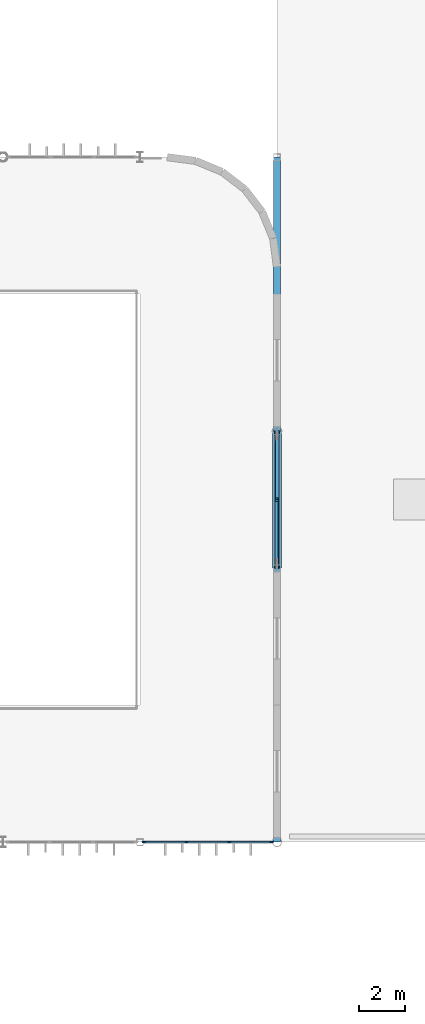
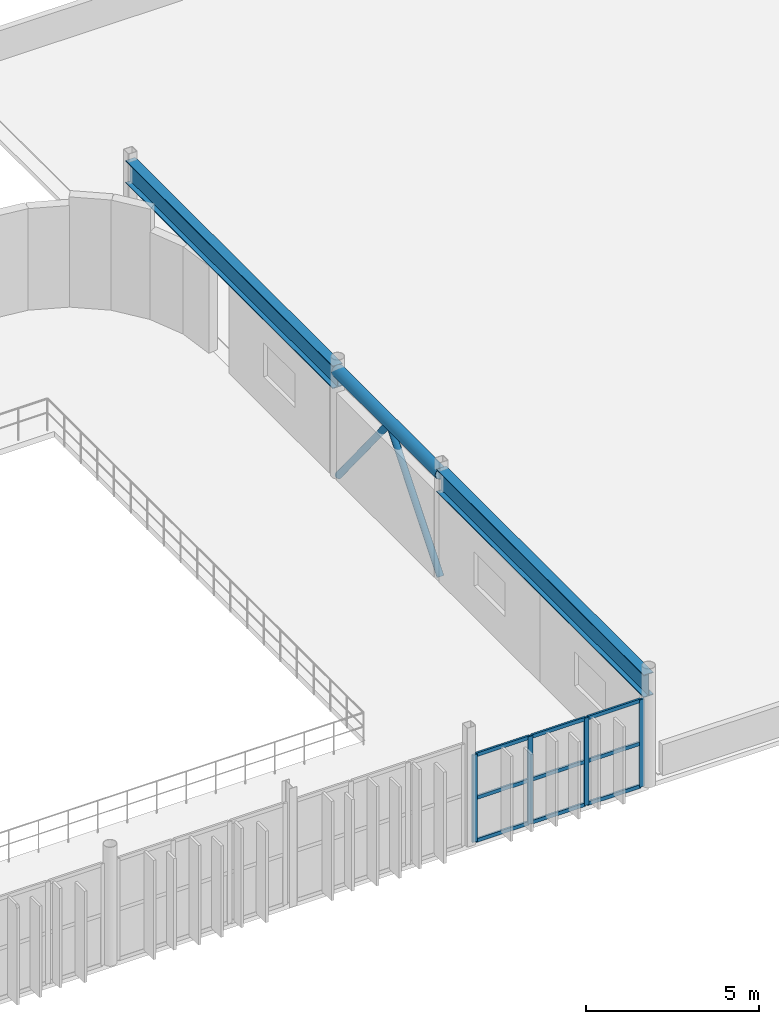
# One storey, part 42 of 83: 15 members, 3 beams, 1 element without a shape of its own.
"""IFC4 building model written with IfcOpenShell, lengths in metres."""

from ifc_helpers import new_model, si_unit, direction, frame, origin, origin_2d, place, context, subcontext, project, spatial, rectangle, hollow_circle, i_section, extrude, material, material_profile, profile_set, type_object, element, aggregate, save


model = new_model("IFC4")

# Units and contexts
model_context = context("Model", 3, precision=1e-05, world=origin(), true_north=direction((0.0, 1.0)))
body_context = subcontext(model_context, "Body", "Model", "MODEL_VIEW")
ifc_project = project(units=[si_unit("LENGTHUNIT", "METRE"), si_unit("AREAUNIT", "SQUARE_METRE"), si_unit("VOLUMEUNIT", "CUBIC_METRE"), si_unit("PLANEANGLEUNIT", "RADIAN"), si_unit("MASSUNIT", "GRAM", prefix="KILO")], contexts=[model_context])

# Site, building, storey
site_placement = place(None, origin())
site = spatial("IfcSite", under=ifc_project, at=site_placement, CompositionType="ELEMENT")
building_placement = place(site_placement, origin())
building = spatial("IfcBuilding", under=site, at=building_placement, Name="Varnakota Square Police Headquarters", CompositionType="ELEMENT")
storey_placement = place(building_placement, frame((0.0, 0.0, 18.0)))
storey = spatial("IfcBuildingStorey", under=building, at=storey_placement, Name="L04", CompositionType="ELEMENT", Elevation=18.0)

# Beams
ifc_material_1 = material(Name="Steel IS 2062 Grade 350", Category="steel")
ifc_material_profile_1 = material_profile(ifc_material_1, hollow_circle(Radius=0.203125, WallThickness=0.01611328125, at=origin_2d()), Name="CHS 406.4x16.0")
ifc_profile_set_1 = profile_set([ifc_material_profile_1], Name="Steel IS 2062 Grade 350")
beam_type_1 = type_object("IfcBeamType", Name="BM-ARC-CHS406", PredefinedType="BEAM", material=ifc_profile_set_1)
beam_placement = place(storey_placement, frame((96.0, 81.0, 3.69677734375), z_axis=(0.0, 1.0, 0.0), x_axis=(-1.0, 0.0, 0.0)))
element("IfcBeam", 1, at=beam_placement, inside=storey, type_object=beam_type_1, Name="BMG-L04-2980", PredefinedType="BEAM", context=body_context, shape_type="SweptSolid", body=[
    extrude(hollow_circle(Radius=0.203125, WallThickness=0.01611328125, at=origin_2d()), origin(), (0.0, 0.0, 1.0), 6.0),
])
ifc_material_profile_2 = material_profile(ifc_material_1, i_section(OverallWidth=0.320068359375, OverallDepth=0.800048828125, WebThickness=0.01611328125, FlangeThickness=0.028076171875, at=origin_2d()), Name="BPG 800x320")
ifc_profile_set_2 = profile_set([ifc_material_profile_2], Name="Steel IS 2062 Grade 350")
beam_type_2 = type_object("IfcBeamType", Name="BM-BPG800", PredefinedType="BEAM", material=ifc_profile_set_2)
for number, where, z_axis, x_axis, name in (
    (2, (96.0, 69.0, 3.5), (0.0, 1.0, 0.0), (-1.0, 0.0, 0.0), "BMG-L04-2979"),
    (3, (96.0, 87.0, 3.5), (0.0, 1.0, 0.0), (-1.0, 0.0, 0.0), "BMG-L04-2981"),
):
    element("IfcBeam", number, at=place(storey_placement, frame(where, z_axis=z_axis, x_axis=x_axis)), inside=storey, type_object=beam_type_2, Name=name, PredefinedType="BEAM", context=body_context, shape_type="SweptSolid", body=[
        extrude(i_section(OverallWidth=0.320068359375, OverallDepth=0.800048828125, WebThickness=0.01611328125, FlangeThickness=0.028076171875, at=origin_2d()), origin(), (0.0, 0.0, 1.0), 12.0),
    ])

# Curtain wall, members
ifc_material_2 = material(Name="Anodised Aluminium Framing", Category="aluminium")
curtain_wall_type = type_object("IfcCurtainWallType", Name="CW-SYS-B", PredefinedType="NOTDEFINED", material=ifc_material_2)
curtain_wall_placement = place(storey_placement, origin())
curtain_wall = element("IfcCurtainWall", 4, at=curtain_wall_placement, inside=storey, type_object=curtain_wall_type, Name="Unitised curtain wall CWG-L04-258", PredefinedType="NOTDEFINED")
ifc_material_3 = material(Name="Anodised Aluminium 6063-T6", Category="aluminium")
ifc_material_profile_3 = material_profile(ifc_material_3, rectangle(XDim=0.06494140625, YDim=0.159912109375, at=origin_2d()), Name="ALU MULLION 65x160")
ifc_profile_set_3 = profile_set([ifc_material_profile_3], Name="Anodised Aluminium 6063-T6")
member_type_1 = type_object("IfcMemberType", Name="CWM-150", PredefinedType="MULLION", material=ifc_profile_set_3)
member_1_placement = place(storey_placement, frame((90.1875, 69.0, 0.0), z_axis=(0.0, 0.0, 1.0), x_axis=(0.0, 1.0, 0.0)))
member_1 = element("IfcMember", 5, at=member_1_placement, type_object=member_type_1, Name="CWG-L04-258 mullion 1", PredefinedType="MULLION", context=body_context, shape_type="SweptSolid", body=[
    extrude(rectangle(XDim=0.06494140625, YDim=0.159912109375, at=origin_2d()), origin(), (0.0, 0.0, 1.0), 3.090087890625),
])
member_2_placement = place(storey_placement, frame((92.033935546875, 69.0, 0.0), z_axis=(0.0, 0.0, 1.0), x_axis=(0.0, 1.0, 0.0)))
member_2 = element("IfcMember", 6, at=member_2_placement, type_object=member_type_1, Name="CWG-L04-258 mullion 2", PredefinedType="MULLION", context=body_context, shape_type="SweptSolid", body=[
    extrude(rectangle(XDim=0.06494140625, YDim=0.159912109375, at=origin_2d()), origin(), (0.0, 0.0, 1.0), 3.090087890625),
])
member_3_placement = place(storey_placement, frame((93.912841796875, 69.0, 0.0), z_axis=(0.0, 0.0, 1.0), x_axis=(0.0, 1.0, 0.0)))
member_3 = element("IfcMember", 7, at=member_3_placement, type_object=member_type_1, Name="CWG-L04-258 mullion 3", PredefinedType="MULLION", context=body_context, shape_type="SweptSolid", body=[
    extrude(rectangle(XDim=0.06494140625, YDim=0.159912109375, at=origin_2d()), origin(), (0.0, 0.0, 1.0), 3.090087890625),
])
member_4_placement = place(storey_placement, frame((95.75927734375, 69.0, 0.0), z_axis=(0.0, 0.0, 1.0), x_axis=(0.0, 1.0, 0.0)))
member_4 = element("IfcMember", 8, at=member_4_placement, type_object=member_type_1, Name="CWG-L04-258 mullion 4", PredefinedType="MULLION", context=body_context, shape_type="SweptSolid", body=[
    extrude(rectangle(XDim=0.06494140625, YDim=0.159912109375, at=origin_2d()), origin(), (0.0, 0.0, 1.0), 3.090087890625),
])
ifc_material_profile_4 = material_profile(ifc_material_3, rectangle(XDim=0.06494140625, YDim=0.1298828125, at=origin_2d()), Name="ALU TRANSOM 65x130")
ifc_profile_set_4 = profile_set([ifc_material_profile_4], Name="Anodised Aluminium 6063-T6")
member_type_2 = type_object("IfcMemberType", Name="CWT-120", PredefinedType="USERDEFINED", material=ifc_profile_set_4)
member_5_placement = place(storey_placement, frame((90.219970703125, 69.0, 0.032470703125), z_axis=(1.0, 0.0, 0.0), x_axis=(0.0, 1.0, 0.0)))
member_5 = element("IfcMember", 9, at=member_5_placement, type_object=member_type_2, Name="CWG-L04-258 transom 1.1", ObjectType="TRANSOM", PredefinedType="USERDEFINED", context=body_context, shape_type="SweptSolid", body=[
    extrude(rectangle(XDim=0.06494140625, YDim=0.1298828125, at=origin_2d()), origin(), (0.0, 0.0, 1.0), 1.781494140625),
])
member_6_placement = place(storey_placement, frame((90.219970703125, 69.0, 1.544921875), z_axis=(1.0, 0.0, 0.0), x_axis=(0.0, 1.0, 0.0)))
member_6 = element("IfcMember", 10, at=member_6_placement, type_object=member_type_2, Name="CWG-L04-258 transom 1.2", ObjectType="TRANSOM", PredefinedType="USERDEFINED", context=body_context, shape_type="SweptSolid", body=[
    extrude(rectangle(XDim=0.06494140625, YDim=0.1298828125, at=origin_2d()), origin(), (0.0, 0.0, 1.0), 1.781494140625),
])
member_7_placement = place(storey_placement, frame((90.219970703125, 69.0, 3.0576171875), z_axis=(1.0, 0.0, 0.0), x_axis=(0.0, 1.0, 0.0)))
member_7 = element("IfcMember", 11, at=member_7_placement, type_object=member_type_2, Name="CWG-L04-258 transom 1.3", ObjectType="TRANSOM", PredefinedType="USERDEFINED", context=body_context, shape_type="SweptSolid", body=[
    extrude(rectangle(XDim=0.06494140625, YDim=0.1298828125, at=origin_2d()), origin(), (0.0, 0.0, 1.0), 1.781494140625),
])
member_8_placement = place(storey_placement, frame((92.06640625, 69.0, 0.032470703125), z_axis=(1.0, 0.0, 0.0), x_axis=(0.0, 1.0, 0.0)))
member_8 = element("IfcMember", 12, at=member_8_placement, type_object=member_type_2, Name="CWG-L04-258 transom 2.1", ObjectType="TRANSOM", PredefinedType="USERDEFINED", context=body_context, shape_type="SweptSolid", body=[
    extrude(rectangle(XDim=0.06494140625, YDim=0.1298828125, at=origin_2d()), origin(), (0.0, 0.0, 1.0), 1.81396484375),
])
member_9_placement = place(storey_placement, frame((92.06640625, 69.0, 1.544921875), z_axis=(1.0, 0.0, 0.0), x_axis=(0.0, 1.0, 0.0)))
member_9 = element("IfcMember", 13, at=member_9_placement, type_object=member_type_2, Name="CWG-L04-258 transom 2.2", ObjectType="TRANSOM", PredefinedType="USERDEFINED", context=body_context, shape_type="SweptSolid", body=[
    extrude(rectangle(XDim=0.06494140625, YDim=0.1298828125, at=origin_2d()), origin(), (0.0, 0.0, 1.0), 1.81396484375),
])
member_10_placement = place(storey_placement, frame((92.06640625, 69.0, 3.0576171875), z_axis=(1.0, 0.0, 0.0), x_axis=(0.0, 1.0, 0.0)))
member_10 = element("IfcMember", 14, at=member_10_placement, type_object=member_type_2, Name="CWG-L04-258 transom 2.3", ObjectType="TRANSOM", PredefinedType="USERDEFINED", context=body_context, shape_type="SweptSolid", body=[
    extrude(rectangle(XDim=0.06494140625, YDim=0.1298828125, at=origin_2d()), origin(), (0.0, 0.0, 1.0), 1.81396484375),
])
member_11_placement = place(storey_placement, frame((93.9453125, 69.0, 0.032470703125), z_axis=(1.0, 0.0, 0.0), x_axis=(0.0, 1.0, 0.0)))
member_11 = element("IfcMember", 15, at=member_11_placement, type_object=member_type_2, Name="CWG-L04-258 transom 3.1", ObjectType="TRANSOM", PredefinedType="USERDEFINED", context=body_context, shape_type="SweptSolid", body=[
    extrude(rectangle(XDim=0.06494140625, YDim=0.1298828125, at=origin_2d()), origin(), (0.0, 0.0, 1.0), 1.781494140625),
])
member_12_placement = place(storey_placement, frame((93.9453125, 69.0, 1.544921875), z_axis=(1.0, 0.0, 0.0), x_axis=(0.0, 1.0, 0.0)))
member_12 = element("IfcMember", 16, at=member_12_placement, type_object=member_type_2, Name="CWG-L04-258 transom 3.2", ObjectType="TRANSOM", PredefinedType="USERDEFINED", context=body_context, shape_type="SweptSolid", body=[
    extrude(rectangle(XDim=0.06494140625, YDim=0.1298828125, at=origin_2d()), origin(), (0.0, 0.0, 1.0), 1.781494140625),
])
member_13_placement = place(storey_placement, frame((93.9453125, 69.0, 3.0576171875), z_axis=(1.0, 0.0, 0.0), x_axis=(0.0, 1.0, 0.0)))
member_13 = element("IfcMember", 17, at=member_13_placement, type_object=member_type_2, Name="CWG-L04-258 transom 3.3", ObjectType="TRANSOM", PredefinedType="USERDEFINED", context=body_context, shape_type="SweptSolid", body=[
    extrude(rectangle(XDim=0.06494140625, YDim=0.1298828125, at=origin_2d()), origin(), (0.0, 0.0, 1.0), 1.781494140625),
])
aggregate(curtain_wall, [member_1, member_2, member_3, member_4, member_5, member_6, member_7, member_8, member_9, member_10, member_11, member_12, member_13])

# Members
ifc_material_profile_5 = material_profile(ifc_material_1, hollow_circle(Radius=0.109619140625, WallThickness=0.008056640625, at=origin_2d()), Name="CHS 219.1x8.0")
ifc_profile_set_5 = profile_set([ifc_material_profile_5], Name="Steel IS 2062 Grade 350")
member_type_3 = type_object("IfcMemberType", Name="MEM-BR-CHS219", PredefinedType="BRACE", material=ifc_profile_set_5)
for number, where, z_axis, x_axis, name in (
    (18, (96.0, 81.050048828125, 0.02001953125), (0.0, 0.630679081609, 0.776043746203), (-1.0, 0.0, 0.0), "Lateral brace BF6 L04 left"),
    (19, (96.0, 86.949951171875, 0.02001953125), (0.0, -0.630679081609, 0.776043746203), (1.0, 0.0, 0.0), "Lateral brace BF6 L04 right"),
):
    element("IfcMember", number, at=place(storey_placement, frame(where, z_axis=z_axis, x_axis=x_axis)), inside=storey, type_object=member_type_3, Name=name, PredefinedType="BRACE", context=body_context, shape_type="SweptSolid", body=[
        extrude(hollow_circle(Radius=0.109619140625, WallThickness=0.008056640625, at=origin_2d()), origin(), (0.0, 0.0, 1.0), 4.677490234375),
    ])

save(model, "model.ifc")
